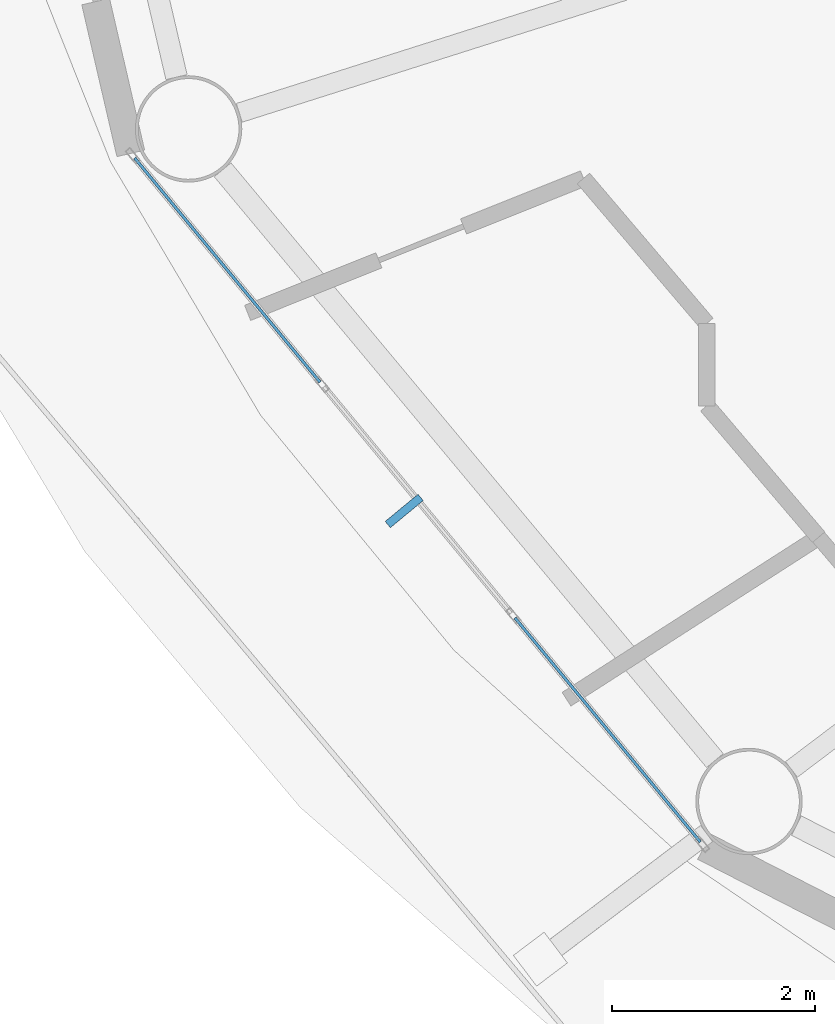
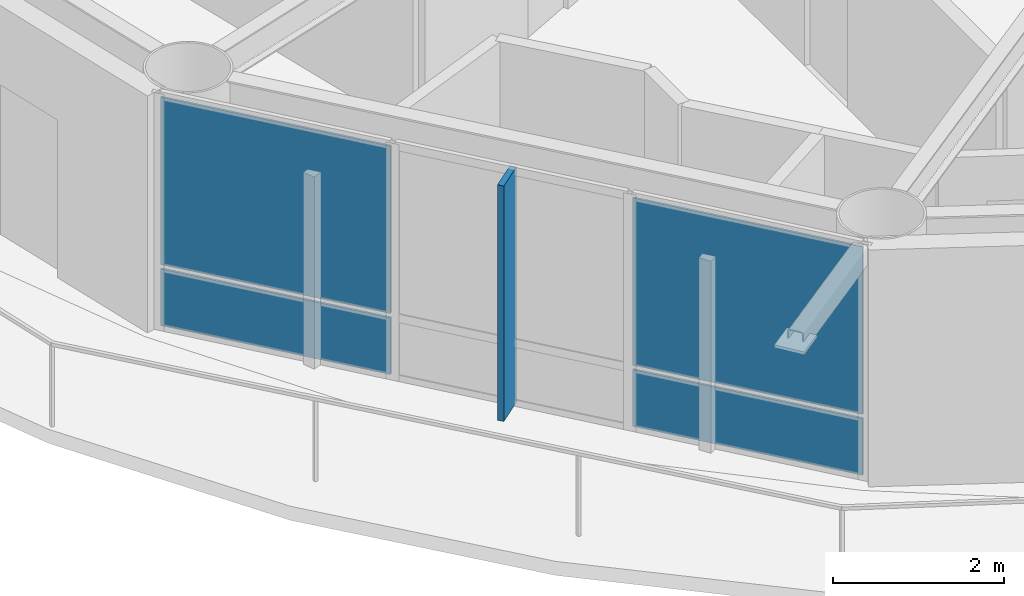
# One storey, part 17 of 30: 5 plates, 1 element without a shape of its own.
"""IFC4 building model written with IfcOpenShell, lengths in metres."""

from ifc_helpers import new_model, si_unit, direction, frame, origin, origin_2d, place, context, subcontext, project, spatial, rectangle, extrude, material, layer, layer_set, type_object, element, aggregate, save


model = new_model("IFC4")

# Units and contexts
model_context = context("Model", 3, precision=1e-05, world=origin(), true_north=direction((0.0, 1.0)))
body_context = subcontext(model_context, "Body", "Model", "MODEL_VIEW")
ifc_project = project(units=[si_unit("LENGTHUNIT", "METRE"), si_unit("AREAUNIT", "SQUARE_METRE"), si_unit("VOLUMEUNIT", "CUBIC_METRE"), si_unit("PLANEANGLEUNIT", "RADIAN"), si_unit("MASSUNIT", "GRAM", prefix="KILO")], contexts=[model_context])

# Site, building, storey
site_placement = place(None, origin())
site = spatial("IfcSite", under=ifc_project, at=site_placement, CompositionType="ELEMENT")
building_placement = place(site_placement, origin())
building = spatial("IfcBuilding", under=site, at=building_placement, Name="Sarneth Arch Tower", CompositionType="ELEMENT")
storey_placement = place(building_placement, frame((0.0, 0.0, 161.39990234375)))
storey = spatial("IfcBuildingStorey", under=building, at=storey_placement, Name="L40", CompositionType="ELEMENT", Elevation=161.39990234375)

# Curtain wall, plates
ifc_material_1 = material(Name="Anodised aluminium Type AA25 and solar-control low-e laminated IGU", Category="aluminium")
ifc_layer_1 = layer(ifc_material_1, 0.169921875)
ifc_layer_set_1 = layer_set([ifc_layer_1], Name="Anodised aluminium Type AA25 and solar-control low-e laminated IGU")
curtain_wall_type = type_object("IfcCurtainWallType", Name="CW-RES-MID", PredefinedType="NOTDEFINED", material=ifc_layer_set_1)
curtain_wall_placement = place(storey_placement, origin())
curtain_wall = element("IfcCurtainWall", 1, at=curtain_wall_placement, inside=storey, type_object=curtain_wall_type, Name="L40 Unitised curtain wall facet 10", PredefinedType="NOTDEFINED")
ifc_material_2 = material(Name="Solar-control low-e laminated IGU", Category="glass")
ifc_layer_2 = layer(ifc_material_2, 0.028076171875)
ifc_layer_set_2 = layer_set([ifc_layer_2], Name="Solar-control low-e laminated IGU")
plate_type_1 = type_object("IfcPlateType", Name="CW-PANEL", PredefinedType="CURTAIN_PANEL", material=ifc_layer_set_2)
plate_1_placement = place(storey_placement, frame((23.719970703125, 32.78173828125, 0.06005859375), z_axis=(0.0, 0.0, 1.0), x_axis=(0.637330298558, -0.770590741276, 0.0)))
plate_1 = element("IfcPlate", 2, at=plate_1_placement, type_object=plate_type_1, Name="Curtain wall glazed vision pane CW-L40-F10/P00-00", PredefinedType="CURTAIN_PANEL", context=body_context, shape_type="SweptSolid", body=[
    extrude(rectangle(XDim=2.8681640625, YDim=0.028076171875, at=origin_2d()), origin(), (0.0, 0.0, 1.0), 0.81005859375),
])
plate_2_placement = place(storey_placement, frame((23.719970703125, 32.78173828125, 0.93017578125), z_axis=(0.0, 0.0, 1.0), x_axis=(0.637330298558, -0.770590741276, 0.0)))
plate_2 = element("IfcPlate", 3, at=plate_2_placement, type_object=plate_type_1, Name="Curtain wall glazed vision pane CW-L40-F10/P00-01", PredefinedType="CURTAIN_PANEL", context=body_context, shape_type="SweptSolid", body=[
    extrude(rectangle(XDim=2.8681640625, YDim=0.028076171875, at=origin_2d()), origin(), (0.0, 0.0, 1.0), 2.389892578125),
])
plate_3_placement = place(storey_placement, frame((27.4716796875, 28.24560546875, 0.06005859375), z_axis=(0.0, 0.0, 1.0), x_axis=(0.637330298558, -0.770590741276, 0.0)))
plate_3 = element("IfcPlate", 4, at=plate_3_placement, type_object=plate_type_1, Name="Curtain wall glazed vision pane CW-L40-F10/P02-00", PredefinedType="CURTAIN_PANEL", context=body_context, shape_type="SweptSolid", body=[
    extrude(rectangle(XDim=2.8681640625, YDim=0.028076171875, at=origin_2d()), origin(), (0.0, 0.0, 1.0), 0.81005859375),
])
plate_4_placement = place(storey_placement, frame((27.4716796875, 28.24560546875, 0.93017578125), z_axis=(0.0, 0.0, 1.0), x_axis=(0.637330298558, -0.770590741276, 0.0)))
plate_4 = element("IfcPlate", 5, at=plate_4_placement, type_object=plate_type_1, Name="Curtain wall glazed vision pane CW-L40-F10/P02-01", PredefinedType="CURTAIN_PANEL", context=body_context, shape_type="SweptSolid", body=[
    extrude(rectangle(XDim=2.8681640625, YDim=0.028076171875, at=origin_2d()), origin(), (0.0, 0.0, 1.0), 2.389892578125),
])
aggregate(curtain_wall, [plate_1, plate_2, plate_3, plate_4])

# Plate
ifc_material_3 = material(Name="Extruded glazed terracotta baguette fin on Aluminium 6063-T6 carrier", Category="masonry")
ifc_layer_3 = layer(ifc_material_3, 0.080078125)
ifc_layer_set_3 = layer_set([ifc_layer_3], Name="Extruded glazed terracotta baguette fin on Aluminium 6063-T6 carrier")
plate_type_2 = type_object("IfcPlateType", Name="SHADE-TERRA-FIN", PredefinedType="SHEET", material=ifc_layer_set_3)
plate_5_placement = place(storey_placement, frame((25.46484375, 30.4052734375, 0.01025390625), z_axis=(0.0, 0.0, 1.0), x_axis=(-0.770624482513, -0.637289500111, 0.0)))
element("IfcPlate", 6, at=plate_5_placement, inside=storey, type_object=plate_type_2, Name="L40 Terracotta vertical shading fin 10", PredefinedType="SHEET", context=body_context, shape_type="SweptSolid", body=[
    extrude(rectangle(XDim=0.419921875, YDim=0.080078125, at=origin_2d()), origin(), (0.0, 0.0, 1.0), 3.360107421875),
])

save(model, "model.ifc")
